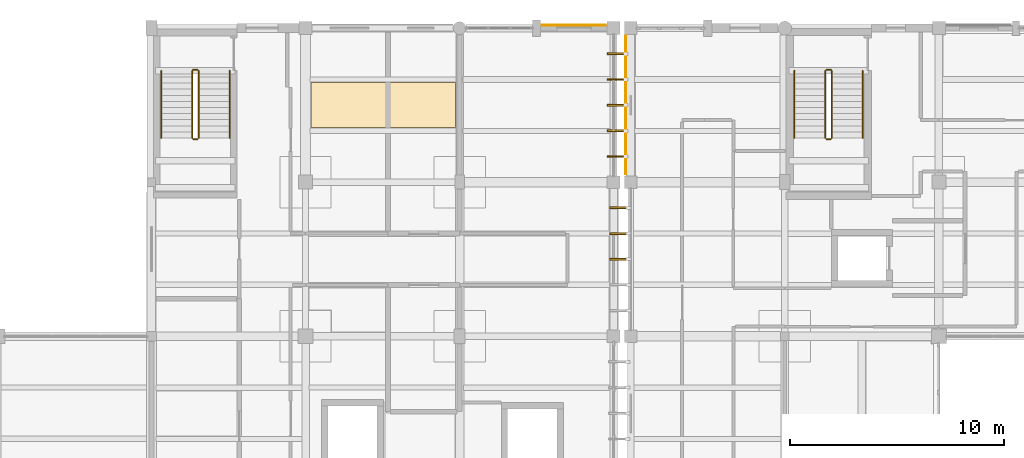
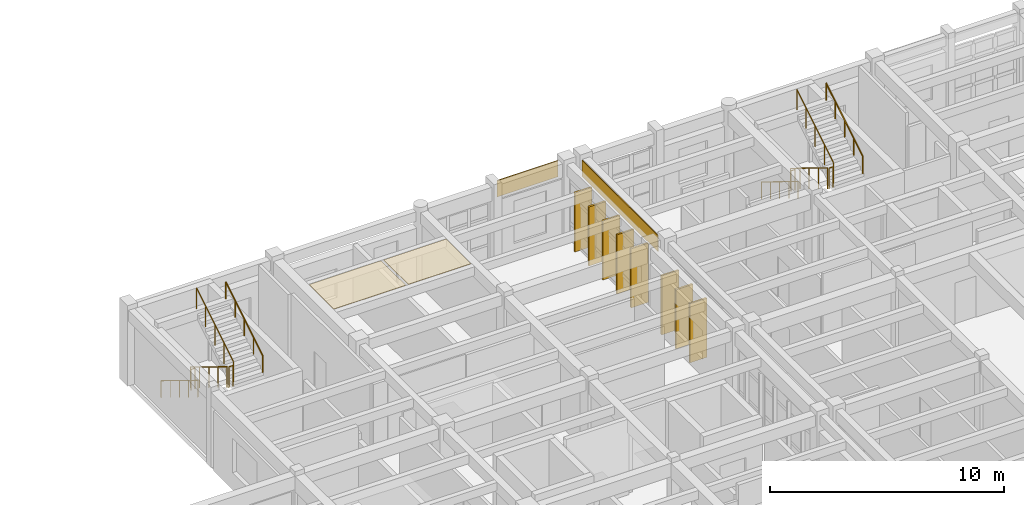
# One storey, part 94 of 100: 12 railings, 8 shading devices, 4 coverings.
"""IFC4 building model written with IfcOpenShell, lengths in metres."""

from ifc_helpers import new_model, si_unit, direction, frame, origin, origin_2d, place, context, subcontext, project, spatial, polyline, rectangle, circle, outline, extrude, material, layer, layer_set, material_profile, profile_set, type_object, element, save


model = new_model("IFC4")

# Units and contexts
model_context = context("Model", 3, precision=1e-05, world=origin(), true_north=direction((0.0, 1.0)))
body_context = subcontext(model_context, "Body", "Model", "MODEL_VIEW")
ifc_project = project(units=[si_unit("LENGTHUNIT", "METRE"), si_unit("AREAUNIT", "SQUARE_METRE"), si_unit("VOLUMEUNIT", "CUBIC_METRE"), si_unit("PLANEANGLEUNIT", "RADIAN"), si_unit("MASSUNIT", "GRAM", prefix="KILO")], contexts=[model_context])

# Site, building, storey
site_placement = place(None, origin())
site = spatial("IfcSite", under=ifc_project, at=site_placement, CompositionType="ELEMENT")
building_placement = place(site_placement, origin())
building = spatial("IfcBuilding", under=site, at=building_placement, Name="Steenspoor Specialist Clinic", CompositionType="ELEMENT")
storey_placement = place(building_placement, frame((0.0, 0.0, 9.0)))
storey = spatial("IfcBuildingStorey", under=building, at=storey_placement, Name="L02", CompositionType="ELEMENT", Elevation=9.0)

# Coverings
ifc_material_1 = material(Name="Washable acoustic mineral ceiling board", Category="gypsum")
ifc_layer_1 = layer(ifc_material_1, 0.02490234375)
ifc_layer_set_1 = layer_set([ifc_layer_1], Name="Washable acoustic mineral ceiling board")
covering_type_1 = type_object("IfcCoveringType", Name="COV-CEIL-ACOUSTIC", PredefinedType="CEILING", material=ifc_layer_set_1)
covering_1_placement = place(storey_placement, frame((0.0, 0.0, 3.925048828125)))
element("IfcCovering", 1, at=covering_1_placement, inside=storey, type_object=covering_type_1, Name="Acoustic Clinical Ceiling 152", PredefinedType="CEILING", context=body_context, shape_type="SweptSolid", body=[
    extrude(outline(polyline([(40.985107421875, 103.699951171875), (37.445068359375, 103.699951171875), (37.445068359375, 105.81005859375), (40.985107421875, 105.81005859375), (40.985107421875, 103.699951171875)])), origin(), (0.0, 0.0, 1.0), 0.02490234375),
])
covering_2_placement = place(storey_placement, frame((0.0, 0.0, 3.925048828125)))
element("IfcCovering", 2, at=covering_2_placement, inside=storey, type_object=covering_type_1, Name="Acoustic Clinical Ceiling 153", PredefinedType="CEILING", context=body_context, shape_type="SweptSolid", body=[
    extrude(outline(polyline([(41.114990234375, 105.81005859375), (44.205078125, 105.81005859375), (44.205078125, 103.699951171875), (41.114990234375, 103.699951171875), (41.114990234375, 105.81005859375)])), origin(), (0.0, 0.0, 1.0), 0.02490234375),
])
ifc_material_2 = material(Name="Glazed ceramic relief spandrel cladding", Category="masonry")
ifc_layer_2 = layer(ifc_material_2, 0.034912109375)
ifc_layer_set_2 = layer_set([ifc_layer_2], Name="Glazed ceramic relief spandrel cladding")
covering_type_2 = type_object("IfcCoveringType", Name="COV-CLAD-CERAMIC", PredefinedType="CLADDING", material=ifc_layer_set_2)
covering_3_placement = place(storey_placement, frame((52.169921875, 104.75, 3.11474609375), z_axis=(0.0, 0.0, 1.0), x_axis=(0.0, 1.0, 0.0)))
element("IfcCovering", 3, at=covering_3_placement, inside=storey, type_object=covering_type_2, Name="Spandrel Cladding 40", PredefinedType="CLADDING", context=body_context, shape_type="SweptSolid", body=[
    extrude(rectangle(XDim=6.47998046875, YDim=0.0400390625, at=origin_2d()), origin(), (0.0, 0.0, 1.0), 0.840087890625),
])
covering_4_placement = place(storey_placement, frame((49.7451171875, 108.489990234375, 3.11474609375), z_axis=(0.0, 0.0, 1.0), x_axis=(1.0, 0.0, 0.0)))
element("IfcCovering", 4, at=covering_4_placement, inside=storey, type_object=covering_type_2, Name="Spandrel Cladding 74", PredefinedType="CLADDING", context=body_context, shape_type="SweptSolid", body=[
    extrude(rectangle(XDim=2.989990234375, YDim=0.0400390625, at=origin_2d()), origin(), (0.0, 0.0, 1.0), 0.840087890625),
])

# Railings
ifc_material_3 = material(Name="Painted architectural steel balustrade", Category="steel")
railing_type_1 = type_object("IfcRailingType", Name="RAIL-GUARD-1100", PredefinedType="GUARDRAIL", material=ifc_material_3)
railing_1_placement = place(storey_placement, frame((61.5, 106.35009765625, 0.175048828125)))
element("IfcRailing", 5, at=railing_1_placement, inside=storey, type_object=railing_type_1, Name="L02 ST-V4A stair guard 1", PredefinedType="GUARDRAIL", context=body_context, shape_type="SweptSolid", body=[
    extrude(circle(Radius=0.02392578125, at=origin_2d()), frame((0.0, 0.0, 1.076171875), z_axis=(0.0, -0.852166034122, 0.523271488128), x_axis=(1.0, 0.0, 0.0)), (0.0, 0.0, 1.0), 3.678955078125),
    extrude(circle(Radius=0.02099609375, at=origin_2d()), origin(), (0.0, 0.0, 1.0), 1.052001953125),
    extrude(circle(Radius=0.02099609375, at=origin_2d()), frame((0.0, -0.78369140625, 0.481201171875)), (0.0, 0.0, 1.0), 1.052001953125),
    extrude(circle(Radius=0.02099609375, at=origin_2d()), frame((0.0, -1.5673828125, 0.96240234375)), (0.0, 0.0, 1.0), 1.052001953125),
    extrude(circle(Radius=0.02099609375, at=origin_2d()), frame((0.0, -2.351318359375, 1.44384765625)), (0.0, 0.0, 1.0), 1.052001953125),
    extrude(circle(Radius=0.02099609375, at=origin_2d()), frame((0.0, -3.135009765625, 1.925048828125)), (0.0, 0.0, 1.0), 1.052001953125),
])
railing_2_placement = place(storey_placement, frame((61.550048828125, 103.1650390625, 2.10009765625)))
element("IfcRailing", 6, at=railing_2_placement, inside=storey, type_object=railing_type_1, Name="L02 ST-V4A stair guard 2", PredefinedType="GUARDRAIL", context=body_context, shape_type="SweptSolid", body=[
    extrude(circle(Radius=0.02392578125, at=origin_2d()), frame((0.0, 0.0, 1.076171875), z_axis=(1.0, 0.0, 0.0), x_axis=(0.0, 1.0, 0.0)), (0.0, 0.0, 1.0), 0.199951171875),
    extrude(circle(Radius=0.02099609375, at=origin_2d()), origin(), (0.0, 0.0, 1.0), 1.052001953125),
    extrude(circle(Radius=0.02099609375, at=origin_2d()), frame((0.199951171875, 0.0, 0.0)), (0.0, 0.0, 1.0), 1.052001953125),
])
railing_3_placement = place(storey_placement, frame((61.800048828125, 103.215087890625, 2.27490234375)))
element("IfcRailing", 7, at=railing_3_placement, inside=storey, type_object=railing_type_1, Name="L02 ST-V4A stair guard 3", PredefinedType="GUARDRAIL", context=body_context, shape_type="SweptSolid", body=[
    extrude(circle(Radius=0.02392578125, at=origin_2d()), frame((0.0, 0.0, 1.076171875), z_axis=(0.0, 0.852166034122, 0.523271488128), x_axis=(-1.0, 0.0, 0.0)), (0.0, 0.0, 1.0), 3.678955078125),
    extrude(circle(Radius=0.02099609375, at=origin_2d()), origin(), (0.0, 0.0, 1.0), 1.052001953125),
    extrude(circle(Radius=0.02099609375, at=origin_2d()), frame((0.0, 0.78369140625, 0.481201171875)), (0.0, 0.0, 1.0), 1.052001953125),
    extrude(circle(Radius=0.02099609375, at=origin_2d()), frame((0.0, 1.5673828125, 0.96240234375)), (0.0, 0.0, 1.0), 1.052001953125),
    extrude(circle(Radius=0.02099609375, at=origin_2d()), frame((0.0, 2.351318359375, 1.44384765625)), (0.0, 0.0, 1.0), 1.052001953125),
    extrude(circle(Radius=0.02099609375, at=origin_2d()), frame((0.0, 3.135009765625, 1.925048828125)), (0.0, 0.0, 1.0), 1.052001953125),
])
railing_4_placement = place(storey_placement, frame((61.550048828125, 106.39990234375, 0.0)))
element("IfcRailing", 8, at=railing_4_placement, inside=storey, type_object=railing_type_1, Name="L02 ST-V4A stair guard 4", PredefinedType="GUARDRAIL", context=body_context, shape_type="SweptSolid", body=[
    extrude(circle(Radius=0.02392578125, at=origin_2d()), frame((0.0, 0.0, 1.076171875), z_axis=(1.0, 0.0, 0.0), x_axis=(0.0, 1.0, 0.0)), (0.0, 0.0, 1.0), 0.199951171875),
    extrude(circle(Radius=0.02099609375, at=origin_2d()), origin(), (0.0, 0.0, 1.0), 1.052001953125),
    extrude(circle(Radius=0.02099609375, at=origin_2d()), frame((0.199951171875, 0.0, 0.0)), (0.0, 0.0, 1.0), 1.052001953125),
])
railing_5_placement = place(storey_placement, frame((31.89990234375, 106.35009765625, 0.175048828125)))
element("IfcRailing", 9, at=railing_5_placement, inside=storey, type_object=railing_type_1, Name="L02 ST-V5A stair guard 1", PredefinedType="GUARDRAIL", context=body_context, shape_type="SweptSolid", body=[
    extrude(circle(Radius=0.02392578125, at=origin_2d()), frame((0.0, 0.0, 1.076171875), z_axis=(0.0, -0.852166034122, 0.523271488128), x_axis=(1.0, 0.0, 0.0)), (0.0, 0.0, 1.0), 3.678955078125),
    extrude(circle(Radius=0.02099609375, at=origin_2d()), origin(), (0.0, 0.0, 1.0), 1.052001953125),
    extrude(circle(Radius=0.02099609375, at=origin_2d()), frame((0.0, -0.78369140625, 0.481201171875)), (0.0, 0.0, 1.0), 1.052001953125),
    extrude(circle(Radius=0.02099609375, at=origin_2d()), frame((0.0, -1.5673828125, 0.96240234375)), (0.0, 0.0, 1.0), 1.052001953125),
    extrude(circle(Radius=0.02099609375, at=origin_2d()), frame((0.0, -2.351318359375, 1.44384765625)), (0.0, 0.0, 1.0), 1.052001953125),
    extrude(circle(Radius=0.02099609375, at=origin_2d()), frame((0.0, -3.135009765625, 1.925048828125)), (0.0, 0.0, 1.0), 1.052001953125),
])
railing_6_placement = place(storey_placement, frame((31.949951171875, 103.1650390625, 2.10009765625)))
element("IfcRailing", 10, at=railing_6_placement, inside=storey, type_object=railing_type_1, Name="L02 ST-V5A stair guard 2", PredefinedType="GUARDRAIL", context=body_context, shape_type="SweptSolid", body=[
    extrude(circle(Radius=0.02392578125, at=origin_2d()), frame((0.0, 0.0, 1.076171875), z_axis=(1.0, 0.0, 0.0), x_axis=(0.0, 1.0, 0.0)), (0.0, 0.0, 1.0), 0.199951171875),
    extrude(circle(Radius=0.02099609375, at=origin_2d()), origin(), (0.0, 0.0, 1.0), 1.052001953125),
    extrude(circle(Radius=0.02099609375, at=origin_2d()), frame((0.199951171875, 0.0, 0.0)), (0.0, 0.0, 1.0), 1.052001953125),
])
railing_7_placement = place(storey_placement, frame((32.199951171875, 103.215087890625, 2.27490234375)))
element("IfcRailing", 11, at=railing_7_placement, inside=storey, type_object=railing_type_1, Name="L02 ST-V5A stair guard 3", PredefinedType="GUARDRAIL", context=body_context, shape_type="SweptSolid", body=[
    extrude(circle(Radius=0.02392578125, at=origin_2d()), frame((0.0, 0.0, 1.076171875), z_axis=(0.0, 0.852166034122, 0.523271488128), x_axis=(-1.0, 0.0, 0.0)), (0.0, 0.0, 1.0), 3.678955078125),
    extrude(circle(Radius=0.02099609375, at=origin_2d()), origin(), (0.0, 0.0, 1.0), 1.052001953125),
    extrude(circle(Radius=0.02099609375, at=origin_2d()), frame((0.0, 0.78369140625, 0.481201171875)), (0.0, 0.0, 1.0), 1.052001953125),
    extrude(circle(Radius=0.02099609375, at=origin_2d()), frame((0.0, 1.5673828125, 0.96240234375)), (0.0, 0.0, 1.0), 1.052001953125),
    extrude(circle(Radius=0.02099609375, at=origin_2d()), frame((0.0, 2.351318359375, 1.44384765625)), (0.0, 0.0, 1.0), 1.052001953125),
    extrude(circle(Radius=0.02099609375, at=origin_2d()), frame((0.0, 3.135009765625, 1.925048828125)), (0.0, 0.0, 1.0), 1.052001953125),
])
railing_8_placement = place(storey_placement, frame((31.949951171875, 106.39990234375, 0.0)))
element("IfcRailing", 12, at=railing_8_placement, inside=storey, type_object=railing_type_1, Name="L02 ST-V5A stair guard 4", PredefinedType="GUARDRAIL", context=body_context, shape_type="SweptSolid", body=[
    extrude(circle(Radius=0.02392578125, at=origin_2d()), frame((0.0, 0.0, 1.076171875), z_axis=(1.0, 0.0, 0.0), x_axis=(0.0, 1.0, 0.0)), (0.0, 0.0, 1.0), 0.199951171875),
    extrude(circle(Radius=0.02099609375, at=origin_2d()), origin(), (0.0, 0.0, 1.0), 1.052001953125),
    extrude(circle(Radius=0.02099609375, at=origin_2d()), frame((0.199951171875, 0.0, 0.0)), (0.0, 0.0, 1.0), 1.052001953125),
])
ifc_material_4 = material(Name="Brushed stainless steel clinical handrail", Category="steel")
railing_type_2 = type_object("IfcRailingType", Name="RAIL-HAND-900", PredefinedType="HANDRAIL", material=ifc_material_4)
railing_9_placement = place(storey_placement, frame((60.050048828125, 106.35009765625, 0.175048828125)))
element("IfcRailing", 13, at=railing_9_placement, inside=storey, type_object=railing_type_2, Name="L02 ST-V4A stair handrail 1", PredefinedType="HANDRAIL", context=body_context, shape_type="SweptSolid", body=[
    extrude(circle(Radius=0.02392578125, at=origin_2d()), frame((0.0, 0.0, 0.8759765625), z_axis=(0.0, -0.852166034122, 0.523271488128), x_axis=(1.0, 0.0, 0.0)), (0.0, 0.0, 1.0), 3.678955078125),
    extrude(circle(Radius=0.02099609375, at=origin_2d()), origin(), (0.0, 0.0, 1.0), 0.851806640625),
    extrude(circle(Radius=0.02099609375, at=origin_2d()), frame((0.0, -0.78369140625, 0.481201171875)), (0.0, 0.0, 1.0), 0.851806640625),
    extrude(circle(Radius=0.02099609375, at=origin_2d()), frame((0.0, -1.5673828125, 0.96240234375)), (0.0, 0.0, 1.0), 0.851806640625),
    extrude(circle(Radius=0.02099609375, at=origin_2d()), frame((0.0, -2.351318359375, 1.44384765625)), (0.0, 0.0, 1.0), 0.851806640625),
    extrude(circle(Radius=0.02099609375, at=origin_2d()), frame((0.0, -3.135009765625, 1.925048828125)), (0.0, 0.0, 1.0), 0.851806640625),
])
railing_10_placement = place(storey_placement, frame((63.25, 103.215087890625, 2.27490234375)))
element("IfcRailing", 14, at=railing_10_placement, inside=storey, type_object=railing_type_2, Name="L02 ST-V4A stair handrail 2", PredefinedType="HANDRAIL", context=body_context, shape_type="SweptSolid", body=[
    extrude(circle(Radius=0.02392578125, at=origin_2d()), frame((0.0, 0.0, 0.8759765625), z_axis=(0.0, 0.852166034122, 0.523271488128), x_axis=(-1.0, 0.0, 0.0)), (0.0, 0.0, 1.0), 3.678955078125),
    extrude(circle(Radius=0.02099609375, at=origin_2d()), origin(), (0.0, 0.0, 1.0), 0.851806640625),
    extrude(circle(Radius=0.02099609375, at=origin_2d()), frame((0.0, 0.78369140625, 0.481201171875)), (0.0, 0.0, 1.0), 0.851806640625),
    extrude(circle(Radius=0.02099609375, at=origin_2d()), frame((0.0, 1.5673828125, 0.96240234375)), (0.0, 0.0, 1.0), 0.851806640625),
    extrude(circle(Radius=0.02099609375, at=origin_2d()), frame((0.0, 2.351318359375, 1.44384765625)), (0.0, 0.0, 1.0), 0.851806640625),
    extrude(circle(Radius=0.02099609375, at=origin_2d()), frame((0.0, 3.135009765625, 1.925048828125)), (0.0, 0.0, 1.0), 0.851806640625),
])
railing_11_placement = place(storey_placement, frame((30.449951171875, 106.35009765625, 0.175048828125)))
element("IfcRailing", 15, at=railing_11_placement, inside=storey, type_object=railing_type_2, Name="L02 ST-V5A stair handrail 1", PredefinedType="HANDRAIL", context=body_context, shape_type="SweptSolid", body=[
    extrude(circle(Radius=0.02392578125, at=origin_2d()), frame((0.0, 0.0, 0.8759765625), z_axis=(0.0, -0.852166034122, 0.523271488128), x_axis=(1.0, 0.0, 0.0)), (0.0, 0.0, 1.0), 3.678955078125),
    extrude(circle(Radius=0.02099609375, at=origin_2d()), origin(), (0.0, 0.0, 1.0), 0.851806640625),
    extrude(circle(Radius=0.02099609375, at=origin_2d()), frame((0.0, -0.78369140625, 0.481201171875)), (0.0, 0.0, 1.0), 0.851806640625),
    extrude(circle(Radius=0.02099609375, at=origin_2d()), frame((0.0, -1.5673828125, 0.96240234375)), (0.0, 0.0, 1.0), 0.851806640625),
    extrude(circle(Radius=0.02099609375, at=origin_2d()), frame((0.0, -2.351318359375, 1.44384765625)), (0.0, 0.0, 1.0), 0.851806640625),
    extrude(circle(Radius=0.02099609375, at=origin_2d()), frame((0.0, -3.135009765625, 1.925048828125)), (0.0, 0.0, 1.0), 0.851806640625),
])
railing_12_placement = place(storey_placement, frame((33.64990234375, 103.215087890625, 2.27490234375)))
element("IfcRailing", 16, at=railing_12_placement, inside=storey, type_object=railing_type_2, Name="L02 ST-V5A stair handrail 2", PredefinedType="HANDRAIL", context=body_context, shape_type="SweptSolid", body=[
    extrude(circle(Radius=0.02392578125, at=origin_2d()), frame((0.0, 0.0, 0.8759765625), z_axis=(0.0, 0.852166034122, 0.523271488128), x_axis=(-1.0, 0.0, 0.0)), (0.0, 0.0, 1.0), 3.678955078125),
    extrude(circle(Radius=0.02099609375, at=origin_2d()), origin(), (0.0, 0.0, 1.0), 0.851806640625),
    extrude(circle(Radius=0.02099609375, at=origin_2d()), frame((0.0, 0.78369140625, 0.481201171875)), (0.0, 0.0, 1.0), 0.851806640625),
    extrude(circle(Radius=0.02099609375, at=origin_2d()), frame((0.0, 1.5673828125, 0.96240234375)), (0.0, 0.0, 1.0), 0.851806640625),
    extrude(circle(Radius=0.02099609375, at=origin_2d()), frame((0.0, 2.351318359375, 1.44384765625)), (0.0, 0.0, 1.0), 0.851806640625),
    extrude(circle(Radius=0.02099609375, at=origin_2d()), frame((0.0, 3.135009765625, 1.925048828125)), (0.0, 0.0, 1.0), 0.851806640625),
])

# Shading devices
ifc_material_5 = material(Name="Glulam GL28h", Category="wood")
ifc_material_profile = material_profile(ifc_material_5, rectangle(XDim=0.090087890625, YDim=0.85009765625, at=origin_2d()), Name="GL28H-90X850")
ifc_profile_set = profile_set([ifc_material_profile], Name="Glulam GL28h")
shading_device_type = type_object("IfcShadingDeviceType", Name="SHADE-FIN-850", PredefinedType="JALOUSIE", material=ifc_profile_set)
for number, where, z_axis, x_axis, name in (
    (17, (51.844970703125, 97.550048828125, 0.0), (0.0, 0.0, 1.0), (0.0, 1.0, 0.0), "Glulam Sun Fin FIN-V4-L02-0018"),
    (18, (51.844970703125, 98.75, 0.0), (0.0, 0.0, 1.0), (0.0, 1.0, 0.0), "Glulam Sun Fin FIN-V4-L02-0019"),
    (19, (51.844970703125, 99.949951171875, 0.0), (0.0, 0.0, 1.0), (0.0, 1.0, 0.0), "Glulam Sun Fin FIN-V4-L02-0020"),
    (20, (51.715087890625, 102.35009765625, 0.0), (0.0, 0.0, 1.0), (0.0, 1.0, 0.0), "Glulam Sun Fin FIN-V4-L02-0021"),
    (21, (51.715087890625, 103.550048828125, 0.0), (0.0, 0.0, 1.0), (0.0, 1.0, 0.0), "Glulam Sun Fin FIN-V4-L02-0022"),
    (22, (51.715087890625, 104.75, 0.0), (0.0, 0.0, 1.0), (0.0, 1.0, 0.0), "Glulam Sun Fin FIN-V4-L02-0023"),
    (23, (51.715087890625, 105.949951171875, 0.0), (0.0, 0.0, 1.0), (0.0, 1.0, 0.0), "Glulam Sun Fin FIN-V4-L02-0024"),
    (24, (51.715087890625, 107.14990234375, 0.0), (0.0, 0.0, 1.0), (0.0, 1.0, 0.0), "Glulam Sun Fin FIN-V4-L02-0025"),
):
    element("IfcShadingDevice", number, at=place(storey_placement, frame(where, z_axis=z_axis, x_axis=x_axis)), inside=storey, type_object=shading_device_type, Name=name, PredefinedType="JALOUSIE", context=body_context, shape_type="SweptSolid", body=[
        extrude(rectangle(XDim=0.090087890625, YDim=0.85009765625, at=origin_2d()), origin(), (0.0, 0.0, 1.0), 3.080078125),
    ])

save(model, "model.ifc")
